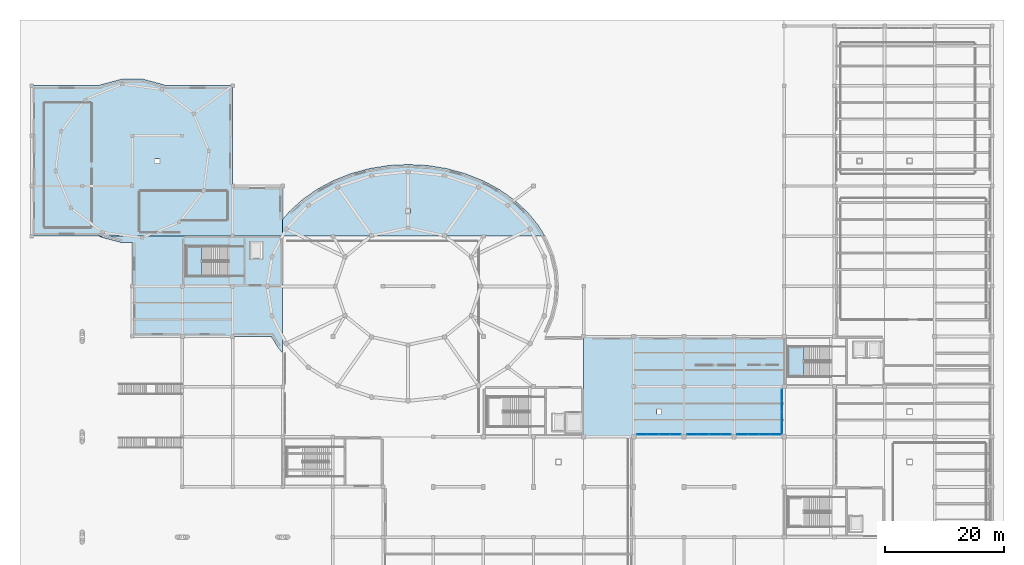
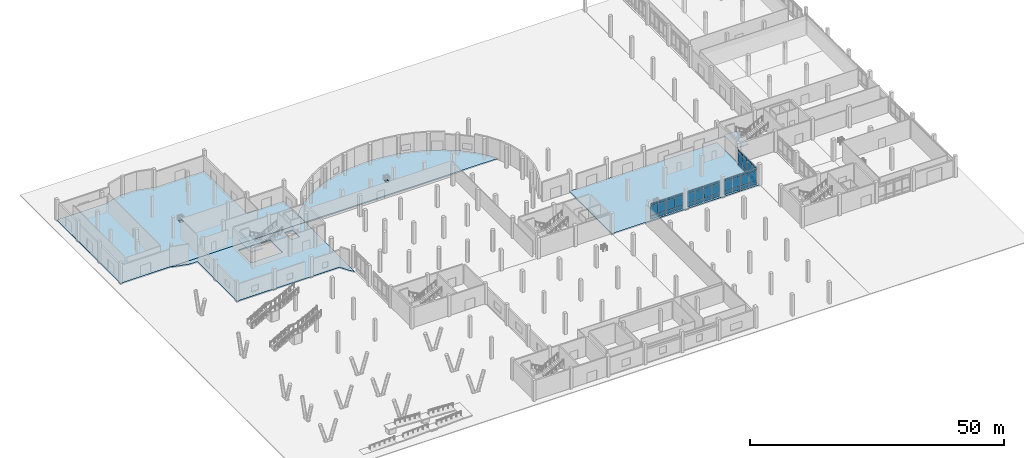
# One storey, part 39 of 64: 48 plates, 6 slabs, 10 elements without a shape of their own.
"""IFC4 building model written with IfcOpenShell, lengths in metres."""

import ifcopenshell
import ifcopenshell.guid

model = None  # the IFC model being written
_history = None  # IfcOwnerHistory: only IFC2X3 demands one
_inside = {}  # id of a spatial element -> (the spatial element, [elements in it])
_under = {}  # id of a project, library or spatial element -> (it, [spatial elements below it])
_declared = {}  # id of a project -> (the project, [libraries it declares])
_typed = {}  # id of a type object -> (the type object, [elements of that type])
_made_of = {}  # id of a material, layer set ... -> (it, [elements and type objects made of it])


def new_model(schema):
    """Start an empty IFC model of exactly this schema.

    Asked for "IFC4X3", IfcOpenShell would pick the latest addendum, in which some entities
    have other attributes; the version numbers below select the first issue.
    IFC2X3 requires an IfcOwnerHistory on every rooted entity: one is made here for all.
    """
    global model, _history
    if schema == "IFC4X3":
        model = ifcopenshell.file(schema_version=(4, 3, 0, 0))
    else:
        model = ifcopenshell.file(schema=schema)
    _inside.clear()
    _under.clear()
    _declared.clear()
    _typed.clear()
    _made_of.clear()
    _history = None
    if model.schema == "IFC2X3":
        org = make("IfcOrganization", Name="unknown")
        user = make(
            "IfcPersonAndOrganization",
            ThePerson=make("IfcPerson", FamilyName="unknown"),
            TheOrganization=org,
        )
        app = make(
            "IfcApplication",
            ApplicationDeveloper=org,
            Version="unknown",
            ApplicationFullName="unknown",
            ApplicationIdentifier="unknown",
        )
        _history = make(
            "IfcOwnerHistory",
            OwningUser=user,
            OwningApplication=app,
            ChangeAction="ADDED",
            CreationDate=0,
        )
    return model


def make(cls, **values):
    """One entity of the class cls with the attributes given. An attribute that is None is left unset."""
    return model.create_entity(
        cls, **{name: value for name, value in values.items() if value is not None}
    )


def rooted(cls, **values):
    """An entity with a GlobalId (a new one), such as an element, a storey or a relation."""
    return make(cls, GlobalId=ifcopenshell.guid.new(), OwnerHistory=_history, **values)


def si_unit(unit_type, name, prefix=None):
    """IfcSIUnit, for example si_unit("LENGTHUNIT", "METRE", prefix="MILLI")."""
    return make("IfcSIUnit", UnitType=unit_type, Prefix=prefix, Name=name)


def derived_unit(unit_type, elements):
    """IfcDerivedUnit: a product of units, each with its exponent."""
    return make(
        "IfcDerivedUnit",
        Elements=[
            make("IfcDerivedUnitElement", Unit=unit, Exponent=power)
            for unit, power in elements
        ],
        UnitType=unit_type,
    )


def assignment(units):
    """IfcUnitAssignment: the units of a project."""
    return None if units is None else make("IfcUnitAssignment", Units=units)


def point(xyz):
    """IfcCartesianPoint."""
    return None if xyz is None else make("IfcCartesianPoint", Coordinates=xyz)


def direction(xyz):
    """IfcDirection."""
    return None if xyz is None else make("IfcDirection", DirectionRatios=xyz)


def frame(location, z_axis=None, x_axis=None):
    """IfcAxis2Placement3D, a coordinate frame: its origin and axes. An axis left out is left unset."""
    return make(
        "IfcAxis2Placement3D",
        Location=point(location),
        Axis=direction(z_axis),
        RefDirection=direction(x_axis),
    )


def frame_2d(location, x_axis=None):
    """IfcAxis2Placement2D, a coordinate frame in the plane: its origin and x axis."""
    return make(
        "IfcAxis2Placement2D", Location=point(location), RefDirection=direction(x_axis)
    )


def origin():
    """The frame at (0, 0, 0) with its axes left unset."""
    return frame((0.0, 0.0, 0.0))


def origin_2d():
    """The frame at (0, 0) in the plane with its x axis left unset."""
    return frame_2d((0.0, 0.0))


def place(relative_to, where):
    """IfcLocalPlacement: puts the frame where relative to a parent placement (None: the world)."""
    return make(
        "IfcLocalPlacement", PlacementRelTo=relative_to, RelativePlacement=where
    )


def context(
    kind, dimensions, precision=None, world=None, true_north=None, identifier=None
):
    """IfcGeometricRepresentationContext, for example the 3D "Model" context."""
    return make(
        "IfcGeometricRepresentationContext",
        ContextIdentifier=identifier,
        ContextType=kind,
        CoordinateSpaceDimension=dimensions,
        Precision=precision,
        WorldCoordinateSystem=world,
        TrueNorth=true_north,
    )


def subcontext(parent, identifier, kind, view, scale=None):
    """IfcGeometricRepresentationSubContext, for example "Body" below "Model"."""
    return make(
        "IfcGeometricRepresentationSubContext",
        ContextIdentifier=identifier,
        ContextType=kind,
        ParentContext=parent,
        TargetScale=scale,
        TargetView=view,
    )


def project(units=None, contexts=None):
    """IfcProject with its units and contexts."""
    return rooted(
        "IfcProject",
        Name="project",
        RepresentationContexts=contexts,
        UnitsInContext=assignment(units),
    )


def spatial(cls, under=None, at=None, **own):
    """A site, building, storey or space (cls), placed at a placement, below another one or the project."""
    s = rooted(cls, ObjectPlacement=at, **own)
    if under is not None:
        _under.setdefault(under.id(), (under, []))[1].append(s)
    return s


def polyline(points):
    """IfcPolyline through the points."""
    return make("IfcPolyline", Points=[point(p) for p in points])


def profile(cls, at=None, kind="AREA", **sizes):
    """A parametric profile (cls). Its sizes go by their IFC names, for example OverallWidth=200.0."""
    return make(cls, ProfileType=kind, Position=at, **sizes)


def rectangle(**sizes):
    """IfcRectangleProfileDef."""
    return profile("IfcRectangleProfileDef", **sizes)


def outline(outer, holes=None, kind="AREA"):
    """IfcArbitraryClosedProfileDef: a profile drawn as a closed curve; with holes, ...WithVoids."""
    if holes is None:
        return make("IfcArbitraryClosedProfileDef", ProfileType=kind, OuterCurve=outer)
    return make(
        "IfcArbitraryProfileDefWithVoids",
        ProfileType=kind,
        OuterCurve=outer,
        InnerCurves=holes,
    )


def extrude(swept, where, along, depth):
    """IfcExtrudedAreaSolid: the profile swept, set in the frame where, extruded along a direction by depth."""
    return make(
        "IfcExtrudedAreaSolid",
        SweptArea=swept,
        Position=where,
        ExtrudedDirection=direction(along),
        Depth=depth,
    )


def shape(context_of_items, identifier, shape_type, items):
    """IfcShapeRepresentation: the items that make up one representation, for example the "Body"."""
    return make(
        "IfcShapeRepresentation",
        ContextOfItems=context_of_items,
        RepresentationIdentifier=identifier,
        RepresentationType=shape_type,
        Items=items,
    )


def material(Name=None, Category=None):
    """IfcMaterial."""
    return make("IfcMaterial", Name=Name, Category=Category)


def layer(
    of_material, thickness, ventilated=None, Name=None, Category=None, Priority=None
):
    """IfcMaterialLayer: one layer of a wall or slab, of a material (None: an air gap)."""
    return make(
        "IfcMaterialLayer",
        Material=of_material,
        LayerThickness=thickness,
        IsVentilated=ventilated,
        Name=Name,
        Category=Category,
        Priority=Priority,
    )


def layer_set(layers, Name=None):
    """IfcMaterialLayerSet."""
    return make("IfcMaterialLayerSet", MaterialLayers=layers, LayerSetName=Name)


def made_of(thing, what):
    """Note that an element or type object is made of a material, layer set ...; save() writes the relation."""
    if what is not None:
        _made_of.setdefault(what.id(), (what, []))[1].append(thing)
    return thing


def type_object(cls, material=None, **own):
    """A type object (cls), such as IfcWallType, which elements share."""
    return made_of(rooted(cls, **own), material)


def element(
    cls,
    number,
    at=None,
    inside=None,
    cuts=None,
    type_object=None,
    material=None,
    context=None,
    identifier="Body",
    shape_type=None,
    held_by="IfcProductDefinitionShape",
    body=None,
    shapes=None,
    **own,
):
    """One element of the class cls, such as IfcWall. Its Tag is "e" and its number.

    at: its placement. inside: the storey or other place that contains it. cuts: it is an
    opening in that element (IfcRelVoidsElement). A single representation is given by context,
    identifier, shape_type and body (its items); several are given by shapes. held_by: the class
    of the entity that holds the representations. save() writes the other relations.
    """
    e = rooted(cls, Tag="e%d" % number, ObjectPlacement=at, **own)
    if body is not None:
        shapes = [shape(context, identifier, shape_type, body)]
    if shapes is not None:
        e.Representation = make(held_by, Representations=shapes)
    if inside is not None:
        _inside.setdefault(inside.id(), (inside, []))[1].append(e)
    if cuts is not None:
        rooted(
            "IfcRelVoidsElement", RelatingBuildingElement=cuts, RelatedOpeningElement=e
        )
    if type_object is not None:
        _typed.setdefault(type_object.id(), (type_object, []))[1].append(e)
    return made_of(e, material)


def aggregate(whole, parts):
    """IfcRelAggregates: a whole, such as a stair, and the parts it consists of."""
    return rooted("IfcRelAggregates", RelatingObject=whole, RelatedObjects=parts)


def save(model, path):
    """Write the relations noted so far, then the file.

    IfcRelAggregates (storeys below a building ...), IfcRelContainedInSpatialStructure (elements
    in a storey), IfcRelDefinesByType, IfcRelAssociatesMaterial and IfcRelDeclares: one each for
    every whole, place, type object, material and project.
    """
    for whole, parts in _under.values():
        aggregate(whole, parts)
    for where, things in _inside.values():
        rooted(
            "IfcRelContainedInSpatialStructure",
            RelatedElements=things,
            RelatingStructure=where,
        )
    for kind, things in _typed.values():
        rooted("IfcRelDefinesByType", RelatedObjects=things, RelatingType=kind)
    for what, things in _made_of.values():
        rooted("IfcRelAssociatesMaterial", RelatedObjects=things, RelatingMaterial=what)
    for by, libraries in _declared.values():
        rooted("IfcRelDeclares", RelatingContext=by, RelatedDefinitions=libraries)
    model.write(path)


model = new_model("IFC4")

# Units and contexts
model_context = context("Model", 3, precision=1e-05, world=origin(), true_north=direction((0.0, 1.0)))
body_context = subcontext(model_context, "Body", "Model", "MODEL_VIEW")
ifc_project = project(units=[si_unit("LENGTHUNIT", "METRE"), si_unit("AREAUNIT", "SQUARE_METRE"), si_unit("VOLUMEUNIT", "CUBIC_METRE"), si_unit("PLANEANGLEUNIT", "RADIAN"), si_unit("MASSUNIT", "GRAM", prefix="KILO"), derived_unit("THERMALTRANSMITTANCEUNIT", [(si_unit("POWERUNIT", "WATT"), 1), (si_unit("LENGTHUNIT", "METRE"), -2), (si_unit("THERMODYNAMICTEMPERATUREUNIT", "KELVIN"), -1)])], contexts=[model_context])

# Site, building, storey
site_placement = place(None, origin())
site = spatial("IfcSite", under=ifc_project, at=site_placement, CompositionType="ELEMENT")
building_placement = place(site_placement, origin())
building = spatial("IfcBuilding", under=site, at=building_placement, Name="Elbkamm Science Centre", CompositionType="ELEMENT")
storey_placement = place(building_placement, origin())
storey = spatial("IfcBuildingStorey", under=building, at=storey_placement, Name="L00", CompositionType="ELEMENT", Elevation=0.0)

# Curtain wall, plates
ifc_material_1 = material(Name="Powder-coated aluminium and triple low-E glazing", Category="aluminium")
ifc_layer_1 = layer(ifc_material_1, 0.159912109375)
ifc_layer_set_1 = layer_set([ifc_layer_1], Name="Powder-coated aluminium and triple low-E glazing")
curtain_wall_type_1 = type_object("IfcCurtainWallType", Name="CW-UNIT-3680x3960", PredefinedType="USERDEFINED", material=ifc_layer_set_1)
curtain_wall_1_placement = place(storey_placement, origin())
curtain_wall_1 = element("IfcCurtainWall", 1, at=curtain_wall_1_placement, inside=storey, type_object=curtain_wall_type_1, Name="L00 Unitised Curtain Wall 136", ObjectType="UNITISED CURTAIN WALL", PredefinedType="USERDEFINED")
ifc_material_2 = material(Name="Triple solar-control insulated safety glass", Category="glass")
ifc_layer_2 = layer(ifc_material_2, 0.048095703125)
ifc_layer_set_2 = layer_set([ifc_layer_2], Name="Triple solar-control insulated safety glass")
plate_type = type_object("IfcPlateType", Name="CW-PNL-48", PredefinedType="CURTAIN_PANEL", material=ifc_layer_set_2)
plate_1_placement = place(storey_placement, frame((125.6201171875, 48.977783203125, 0.06982421875), z_axis=(0.0, 0.0, 1.0), x_axis=(0.0, -1.0, 0.0)))
plate_1 = element("IfcPlate", 2, at=plate_1_placement, type_object=plate_type, Name="CW-064 panel 1.1", PredefinedType="CURTAIN_PANEL", context=body_context, shape_type="SweptSolid", body=[
    extrude(rectangle(XDim=1.73193359375, YDim=0.048095703125, at=origin_2d()), origin(), (0.0, 0.0, 1.0), 0.7451171875),
])
plate_2_placement = place(storey_placement, frame((125.6201171875, 48.977783203125, 0.885009765625), z_axis=(0.0, 0.0, 1.0), x_axis=(0.0, -1.0, 0.0)))
plate_2 = element("IfcPlate", 3, at=plate_2_placement, type_object=plate_type, Name="CW-064 panel 1.2", PredefinedType="CURTAIN_PANEL", context=body_context, shape_type="SweptSolid", body=[
    extrude(rectangle(XDim=1.73193359375, YDim=0.048095703125, at=origin_2d()), origin(), (0.0, 0.0, 1.0), 2.3798828125),
])
plate_3_placement = place(storey_placement, frame((125.6201171875, 48.977783203125, 3.3349609375), z_axis=(0.0, 0.0, 1.0), x_axis=(0.0, -1.0, 0.0)))
plate_3 = element("IfcPlate", 4, at=plate_3_placement, type_object=plate_type, Name="CW-064 panel 1.3", PredefinedType="CURTAIN_PANEL", context=body_context, shape_type="SweptSolid", body=[
    extrude(rectangle(XDim=1.73193359375, YDim=0.048095703125, at=origin_2d()), origin(), (0.0, 0.0, 1.0), 0.544921875),
])
plate_4_placement = place(storey_placement, frame((125.6201171875, 47.176025390625, 0.06982421875), z_axis=(0.0, 0.0, 1.0), x_axis=(0.0, -1.0, 0.0)))
plate_4 = element("IfcPlate", 5, at=plate_4_placement, type_object=plate_type, Name="CW-064 panel 2.1", PredefinedType="CURTAIN_PANEL", context=body_context, shape_type="SweptSolid", body=[
    extrude(rectangle(XDim=1.73193359375, YDim=0.048095703125, at=origin_2d()), origin(), (0.0, 0.0, 1.0), 0.7451171875),
])
plate_5_placement = place(storey_placement, frame((125.6201171875, 47.176025390625, 0.885009765625), z_axis=(0.0, 0.0, 1.0), x_axis=(0.0, -1.0, 0.0)))
plate_5 = element("IfcPlate", 6, at=plate_5_placement, type_object=plate_type, Name="CW-064 panel 2.2", PredefinedType="CURTAIN_PANEL", context=body_context, shape_type="SweptSolid", body=[
    extrude(rectangle(XDim=1.73193359375, YDim=0.048095703125, at=origin_2d()), origin(), (0.0, 0.0, 1.0), 2.3798828125),
])
plate_6_placement = place(storey_placement, frame((125.6201171875, 47.176025390625, 3.3349609375), z_axis=(0.0, 0.0, 1.0), x_axis=(0.0, -1.0, 0.0)))
plate_6 = element("IfcPlate", 7, at=plate_6_placement, type_object=plate_type, Name="CW-064 panel 2.3", PredefinedType="CURTAIN_PANEL", context=body_context, shape_type="SweptSolid", body=[
    extrude(rectangle(XDim=1.73193359375, YDim=0.048095703125, at=origin_2d()), origin(), (0.0, 0.0, 1.0), 0.544921875),
])
aggregate(curtain_wall_1, [plate_1, plate_2, plate_3, plate_4, plate_5, plate_6])

curtain_wall_2_placement = place(storey_placement, origin())
curtain_wall_2 = element("IfcCurtainWall", 8, at=curtain_wall_2_placement, inside=storey, type_object=curtain_wall_type_1, Name="L00 Unitised Curtain Wall 137", ObjectType="UNITISED CURTAIN WALL", PredefinedType="USERDEFINED")
plate_7_placement = place(storey_placement, frame((125.6201171875, 45.22412109375, 0.06982421875), z_axis=(0.0, 0.0, 1.0), x_axis=(0.0, -1.0, 0.0)))
plate_7 = element("IfcPlate", 9, at=plate_7_placement, type_object=plate_type, Name="CW-064 panel 1.1", PredefinedType="CURTAIN_PANEL", context=body_context, shape_type="SweptSolid", body=[
    extrude(rectangle(XDim=1.73193359375, YDim=0.048095703125, at=origin_2d()), origin(), (0.0, 0.0, 1.0), 0.7451171875),
])
plate_8_placement = place(storey_placement, frame((125.6201171875, 45.22412109375, 0.885009765625), z_axis=(0.0, 0.0, 1.0), x_axis=(0.0, -1.0, 0.0)))
plate_8 = element("IfcPlate", 10, at=plate_8_placement, type_object=plate_type, Name="CW-064 panel 1.2", PredefinedType="CURTAIN_PANEL", context=body_context, shape_type="SweptSolid", body=[
    extrude(rectangle(XDim=1.73193359375, YDim=0.048095703125, at=origin_2d()), origin(), (0.0, 0.0, 1.0), 2.3798828125),
])
plate_9_placement = place(storey_placement, frame((125.6201171875, 45.22412109375, 3.3349609375), z_axis=(0.0, 0.0, 1.0), x_axis=(0.0, -1.0, 0.0)))
plate_9 = element("IfcPlate", 11, at=plate_9_placement, type_object=plate_type, Name="CW-064 panel 1.3", PredefinedType="CURTAIN_PANEL", context=body_context, shape_type="SweptSolid", body=[
    extrude(rectangle(XDim=1.73193359375, YDim=0.048095703125, at=origin_2d()), origin(), (0.0, 0.0, 1.0), 0.544921875),
])
plate_10_placement = place(storey_placement, frame((125.6201171875, 43.422119140625, 0.06982421875), z_axis=(0.0, 0.0, 1.0), x_axis=(0.0, -1.0, 0.0)))
plate_10 = element("IfcPlate", 12, at=plate_10_placement, type_object=plate_type, Name="CW-064 panel 2.1", PredefinedType="CURTAIN_PANEL", context=body_context, shape_type="SweptSolid", body=[
    extrude(rectangle(XDim=1.73193359375, YDim=0.048095703125, at=origin_2d()), origin(), (0.0, 0.0, 1.0), 0.7451171875),
])
plate_11_placement = place(storey_placement, frame((125.6201171875, 43.422119140625, 0.885009765625), z_axis=(0.0, 0.0, 1.0), x_axis=(0.0, -1.0, 0.0)))
plate_11 = element("IfcPlate", 13, at=plate_11_placement, type_object=plate_type, Name="CW-064 panel 2.2", PredefinedType="CURTAIN_PANEL", context=body_context, shape_type="SweptSolid", body=[
    extrude(rectangle(XDim=1.73193359375, YDim=0.048095703125, at=origin_2d()), origin(), (0.0, 0.0, 1.0), 2.3798828125),
])
plate_12_placement = place(storey_placement, frame((125.6201171875, 43.422119140625, 3.3349609375), z_axis=(0.0, 0.0, 1.0), x_axis=(0.0, -1.0, 0.0)))
plate_12 = element("IfcPlate", 14, at=plate_12_placement, type_object=plate_type, Name="CW-064 panel 2.3", PredefinedType="CURTAIN_PANEL", context=body_context, shape_type="SweptSolid", body=[
    extrude(rectangle(XDim=1.73193359375, YDim=0.048095703125, at=origin_2d()), origin(), (0.0, 0.0, 1.0), 0.544921875),
])
aggregate(curtain_wall_2, [plate_7, plate_8, plate_9, plate_10, plate_11, plate_12])

ifc_layer_3 = layer(ifc_material_1, 0.159912109375)
ifc_layer_set_3 = layer_set([ifc_layer_3], Name="Powder-coated aluminium and triple low-E glazing")
curtain_wall_type_2 = type_object("IfcCurtainWallType", Name="CW-UNIT-3680x3900", PredefinedType="USERDEFINED", material=ifc_layer_set_3)
curtain_wall_3_placement = place(storey_placement, origin())
curtain_wall_3 = element("IfcCurtainWall", 15, at=curtain_wall_3_placement, inside=storey, type_object=curtain_wall_type_2, Name="L00 Unitised Curtain Wall 138", ObjectType="UNITISED CURTAIN WALL", PredefinedType="USERDEFINED")
plate_13_placement = place(storey_placement, frame((124.577880859375, 42.3798828125, 0.06982421875), z_axis=(0.0, 0.0, 1.0), x_axis=(-1.0, 0.0, 0.0)))
plate_13 = element("IfcPlate", 16, at=plate_13_placement, type_object=plate_type, Name="CW-066 panel 1.1", PredefinedType="CURTAIN_PANEL", context=body_context, shape_type="SweptSolid", body=[
    extrude(rectangle(XDim=1.73193359375, YDim=0.048095703125, at=origin_2d()), origin(), (0.0, 0.0, 1.0), 0.7451171875),
])
plate_14_placement = place(storey_placement, frame((124.577880859375, 42.3798828125, 0.885009765625), z_axis=(0.0, 0.0, 1.0), x_axis=(-1.0, 0.0, 0.0)))
plate_14 = element("IfcPlate", 17, at=plate_14_placement, type_object=plate_type, Name="CW-066 panel 1.2", PredefinedType="CURTAIN_PANEL", context=body_context, shape_type="SweptSolid", body=[
    extrude(rectangle(XDim=1.73193359375, YDim=0.048095703125, at=origin_2d()), origin(), (0.0, 0.0, 1.0), 2.330078125),
])
plate_15_placement = place(storey_placement, frame((124.577880859375, 42.3798828125, 3.28515625), z_axis=(0.0, 0.0, 1.0), x_axis=(-1.0, 0.0, 0.0)))
plate_15 = element("IfcPlate", 18, at=plate_15_placement, type_object=plate_type, Name="CW-066 panel 1.3", PredefinedType="CURTAIN_PANEL", context=body_context, shape_type="SweptSolid", body=[
    extrude(rectangle(XDim=1.73193359375, YDim=0.048095703125, at=origin_2d()), origin(), (0.0, 0.0, 1.0), 0.544921875),
])
plate_16_placement = place(storey_placement, frame((122.77587890625, 42.3798828125, 0.06982421875), z_axis=(0.0, 0.0, 1.0), x_axis=(-1.0, 0.0, 0.0)))
plate_16 = element("IfcPlate", 19, at=plate_16_placement, type_object=plate_type, Name="CW-066 panel 2.1", PredefinedType="CURTAIN_PANEL", context=body_context, shape_type="SweptSolid", body=[
    extrude(rectangle(XDim=1.73193359375, YDim=0.048095703125, at=origin_2d()), origin(), (0.0, 0.0, 1.0), 0.7451171875),
])
plate_17_placement = place(storey_placement, frame((122.77587890625, 42.3798828125, 0.885009765625), z_axis=(0.0, 0.0, 1.0), x_axis=(-1.0, 0.0, 0.0)))
plate_17 = element("IfcPlate", 20, at=plate_17_placement, type_object=plate_type, Name="CW-066 panel 2.2", PredefinedType="CURTAIN_PANEL", context=body_context, shape_type="SweptSolid", body=[
    extrude(rectangle(XDim=1.73193359375, YDim=0.048095703125, at=origin_2d()), origin(), (0.0, 0.0, 1.0), 2.330078125),
])
plate_18_placement = place(storey_placement, frame((122.77587890625, 42.3798828125, 3.28515625), z_axis=(0.0, 0.0, 1.0), x_axis=(-1.0, 0.0, 0.0)))
plate_18 = element("IfcPlate", 21, at=plate_18_placement, type_object=plate_type, Name="CW-066 panel 2.3", PredefinedType="CURTAIN_PANEL", context=body_context, shape_type="SweptSolid", body=[
    extrude(rectangle(XDim=1.73193359375, YDim=0.048095703125, at=origin_2d()), origin(), (0.0, 0.0, 1.0), 0.544921875),
])
aggregate(curtain_wall_3, [plate_13, plate_14, plate_15, plate_16, plate_17, plate_18])

curtain_wall_4_placement = place(storey_placement, origin())
curtain_wall_4 = element("IfcCurtainWall", 22, at=curtain_wall_4_placement, inside=storey, type_object=curtain_wall_type_2, Name="L00 Unitised Curtain Wall 139", ObjectType="UNITISED CURTAIN WALL", PredefinedType="USERDEFINED")
plate_19_placement = place(storey_placement, frame((120.823974609375, 42.3798828125, 0.06982421875), z_axis=(0.0, 0.0, 1.0), x_axis=(-1.0, 0.0, 0.0)))
plate_19 = element("IfcPlate", 23, at=plate_19_placement, type_object=plate_type, Name="CW-066 panel 1.1", PredefinedType="CURTAIN_PANEL", context=body_context, shape_type="SweptSolid", body=[
    extrude(rectangle(XDim=1.73193359375, YDim=0.048095703125, at=origin_2d()), origin(), (0.0, 0.0, 1.0), 0.7451171875),
])
plate_20_placement = place(storey_placement, frame((120.823974609375, 42.3798828125, 0.885009765625), z_axis=(0.0, 0.0, 1.0), x_axis=(-1.0, 0.0, 0.0)))
plate_20 = element("IfcPlate", 24, at=plate_20_placement, type_object=plate_type, Name="CW-066 panel 1.2", PredefinedType="CURTAIN_PANEL", context=body_context, shape_type="SweptSolid", body=[
    extrude(rectangle(XDim=1.73193359375, YDim=0.048095703125, at=origin_2d()), origin(), (0.0, 0.0, 1.0), 2.330078125),
])
plate_21_placement = place(storey_placement, frame((120.823974609375, 42.3798828125, 3.28515625), z_axis=(0.0, 0.0, 1.0), x_axis=(-1.0, 0.0, 0.0)))
plate_21 = element("IfcPlate", 25, at=plate_21_placement, type_object=plate_type, Name="CW-066 panel 1.3", PredefinedType="CURTAIN_PANEL", context=body_context, shape_type="SweptSolid", body=[
    extrude(rectangle(XDim=1.73193359375, YDim=0.048095703125, at=origin_2d()), origin(), (0.0, 0.0, 1.0), 0.544921875),
])
plate_22_placement = place(storey_placement, frame((119.022216796875, 42.3798828125, 0.06982421875), z_axis=(0.0, 0.0, 1.0), x_axis=(-1.0, 0.0, 0.0)))
plate_22 = element("IfcPlate", 26, at=plate_22_placement, type_object=plate_type, Name="CW-066 panel 2.1", PredefinedType="CURTAIN_PANEL", context=body_context, shape_type="SweptSolid", body=[
    extrude(rectangle(XDim=1.73193359375, YDim=0.048095703125, at=origin_2d()), origin(), (0.0, 0.0, 1.0), 0.7451171875),
])
plate_23_placement = place(storey_placement, frame((119.022216796875, 42.3798828125, 0.885009765625), z_axis=(0.0, 0.0, 1.0), x_axis=(-1.0, 0.0, 0.0)))
plate_23 = element("IfcPlate", 27, at=plate_23_placement, type_object=plate_type, Name="CW-066 panel 2.2", PredefinedType="CURTAIN_PANEL", context=body_context, shape_type="SweptSolid", body=[
    extrude(rectangle(XDim=1.73193359375, YDim=0.048095703125, at=origin_2d()), origin(), (0.0, 0.0, 1.0), 2.330078125),
])
plate_24_placement = place(storey_placement, frame((119.022216796875, 42.3798828125, 3.28515625), z_axis=(0.0, 0.0, 1.0), x_axis=(-1.0, 0.0, 0.0)))
plate_24 = element("IfcPlate", 28, at=plate_24_placement, type_object=plate_type, Name="CW-066 panel 2.3", PredefinedType="CURTAIN_PANEL", context=body_context, shape_type="SweptSolid", body=[
    extrude(rectangle(XDim=1.73193359375, YDim=0.048095703125, at=origin_2d()), origin(), (0.0, 0.0, 1.0), 0.544921875),
])
aggregate(curtain_wall_4, [plate_19, plate_20, plate_21, plate_22, plate_23, plate_24])

curtain_wall_5_placement = place(storey_placement, origin())
curtain_wall_5 = element("IfcCurtainWall", 29, at=curtain_wall_5_placement, inside=storey, type_object=curtain_wall_type_2, Name="L00 Unitised Curtain Wall 140", ObjectType="UNITISED CURTAIN WALL", PredefinedType="USERDEFINED")
plate_25_placement = place(storey_placement, frame((116.177734375, 42.3798828125, 0.06982421875), z_axis=(0.0, 0.0, 1.0), x_axis=(-1.0, 0.0, 0.0)))
plate_25 = element("IfcPlate", 30, at=plate_25_placement, type_object=plate_type, Name="CW-066 panel 1.1", PredefinedType="CURTAIN_PANEL", context=body_context, shape_type="SweptSolid", body=[
    extrude(rectangle(XDim=1.73193359375, YDim=0.048095703125, at=origin_2d()), origin(), (0.0, 0.0, 1.0), 0.7451171875),
])
plate_26_placement = place(storey_placement, frame((116.177734375, 42.3798828125, 0.885009765625), z_axis=(0.0, 0.0, 1.0), x_axis=(-1.0, 0.0, 0.0)))
plate_26 = element("IfcPlate", 31, at=plate_26_placement, type_object=plate_type, Name="CW-066 panel 1.2", PredefinedType="CURTAIN_PANEL", context=body_context, shape_type="SweptSolid", body=[
    extrude(rectangle(XDim=1.73193359375, YDim=0.048095703125, at=origin_2d()), origin(), (0.0, 0.0, 1.0), 2.330078125),
])
plate_27_placement = place(storey_placement, frame((116.177734375, 42.3798828125, 3.28515625), z_axis=(0.0, 0.0, 1.0), x_axis=(-1.0, 0.0, 0.0)))
plate_27 = element("IfcPlate", 32, at=plate_27_placement, type_object=plate_type, Name="CW-066 panel 1.3", PredefinedType="CURTAIN_PANEL", context=body_context, shape_type="SweptSolid", body=[
    extrude(rectangle(XDim=1.73193359375, YDim=0.048095703125, at=origin_2d()), origin(), (0.0, 0.0, 1.0), 0.544921875),
])
plate_28_placement = place(storey_placement, frame((114.3759765625, 42.3798828125, 0.06982421875), z_axis=(0.0, 0.0, 1.0), x_axis=(-1.0, 0.0, 0.0)))
plate_28 = element("IfcPlate", 33, at=plate_28_placement, type_object=plate_type, Name="CW-066 panel 2.1", PredefinedType="CURTAIN_PANEL", context=body_context, shape_type="SweptSolid", body=[
    extrude(rectangle(XDim=1.73193359375, YDim=0.048095703125, at=origin_2d()), origin(), (0.0, 0.0, 1.0), 0.7451171875),
])
plate_29_placement = place(storey_placement, frame((114.3759765625, 42.3798828125, 0.885009765625), z_axis=(0.0, 0.0, 1.0), x_axis=(-1.0, 0.0, 0.0)))
plate_29 = element("IfcPlate", 34, at=plate_29_placement, type_object=plate_type, Name="CW-066 panel 2.2", PredefinedType="CURTAIN_PANEL", context=body_context, shape_type="SweptSolid", body=[
    extrude(rectangle(XDim=1.73193359375, YDim=0.048095703125, at=origin_2d()), origin(), (0.0, 0.0, 1.0), 2.330078125),
])
plate_30_placement = place(storey_placement, frame((114.3759765625, 42.3798828125, 3.28515625), z_axis=(0.0, 0.0, 1.0), x_axis=(-1.0, 0.0, 0.0)))
plate_30 = element("IfcPlate", 35, at=plate_30_placement, type_object=plate_type, Name="CW-066 panel 2.3", PredefinedType="CURTAIN_PANEL", context=body_context, shape_type="SweptSolid", body=[
    extrude(rectangle(XDim=1.73193359375, YDim=0.048095703125, at=origin_2d()), origin(), (0.0, 0.0, 1.0), 0.544921875),
])
aggregate(curtain_wall_5, [plate_25, plate_26, plate_27, plate_28, plate_29, plate_30])

curtain_wall_6_placement = place(storey_placement, origin())
curtain_wall_6 = element("IfcCurtainWall", 36, at=curtain_wall_6_placement, inside=storey, type_object=curtain_wall_type_2, Name="L00 Unitised Curtain Wall 141", ObjectType="UNITISED CURTAIN WALL", PredefinedType="USERDEFINED")
plate_31_placement = place(storey_placement, frame((112.424072265625, 42.3798828125, 0.06982421875), z_axis=(0.0, 0.0, 1.0), x_axis=(-1.0, 0.0, 0.0)))
plate_31 = element("IfcPlate", 37, at=plate_31_placement, type_object=plate_type, Name="CW-066 panel 1.1", PredefinedType="CURTAIN_PANEL", context=body_context, shape_type="SweptSolid", body=[
    extrude(rectangle(XDim=1.73193359375, YDim=0.048095703125, at=origin_2d()), origin(), (0.0, 0.0, 1.0), 0.7451171875),
])
plate_32_placement = place(storey_placement, frame((112.424072265625, 42.3798828125, 0.885009765625), z_axis=(0.0, 0.0, 1.0), x_axis=(-1.0, 0.0, 0.0)))
plate_32 = element("IfcPlate", 38, at=plate_32_placement, type_object=plate_type, Name="CW-066 panel 1.2", PredefinedType="CURTAIN_PANEL", context=body_context, shape_type="SweptSolid", body=[
    extrude(rectangle(XDim=1.73193359375, YDim=0.048095703125, at=origin_2d()), origin(), (0.0, 0.0, 1.0), 2.330078125),
])
plate_33_placement = place(storey_placement, frame((112.424072265625, 42.3798828125, 3.28515625), z_axis=(0.0, 0.0, 1.0), x_axis=(-1.0, 0.0, 0.0)))
plate_33 = element("IfcPlate", 39, at=plate_33_placement, type_object=plate_type, Name="CW-066 panel 1.3", PredefinedType="CURTAIN_PANEL", context=body_context, shape_type="SweptSolid", body=[
    extrude(rectangle(XDim=1.73193359375, YDim=0.048095703125, at=origin_2d()), origin(), (0.0, 0.0, 1.0), 0.544921875),
])
plate_34_placement = place(storey_placement, frame((110.622314453125, 42.3798828125, 0.06982421875), z_axis=(0.0, 0.0, 1.0), x_axis=(-1.0, 0.0, 0.0)))
plate_34 = element("IfcPlate", 40, at=plate_34_placement, type_object=plate_type, Name="CW-066 panel 2.1", PredefinedType="CURTAIN_PANEL", context=body_context, shape_type="SweptSolid", body=[
    extrude(rectangle(XDim=1.73193359375, YDim=0.048095703125, at=origin_2d()), origin(), (0.0, 0.0, 1.0), 0.7451171875),
])
plate_35_placement = place(storey_placement, frame((110.622314453125, 42.3798828125, 0.885009765625), z_axis=(0.0, 0.0, 1.0), x_axis=(-1.0, 0.0, 0.0)))
plate_35 = element("IfcPlate", 41, at=plate_35_placement, type_object=plate_type, Name="CW-066 panel 2.2", PredefinedType="CURTAIN_PANEL", context=body_context, shape_type="SweptSolid", body=[
    extrude(rectangle(XDim=1.73193359375, YDim=0.048095703125, at=origin_2d()), origin(), (0.0, 0.0, 1.0), 2.330078125),
])
plate_36_placement = place(storey_placement, frame((110.622314453125, 42.3798828125, 3.28515625), z_axis=(0.0, 0.0, 1.0), x_axis=(-1.0, 0.0, 0.0)))
plate_36 = element("IfcPlate", 42, at=plate_36_placement, type_object=plate_type, Name="CW-066 panel 2.3", PredefinedType="CURTAIN_PANEL", context=body_context, shape_type="SweptSolid", body=[
    extrude(rectangle(XDim=1.73193359375, YDim=0.048095703125, at=origin_2d()), origin(), (0.0, 0.0, 1.0), 0.544921875),
])
aggregate(curtain_wall_6, [plate_31, plate_32, plate_33, plate_34, plate_35, plate_36])

curtain_wall_7_placement = place(storey_placement, origin())
curtain_wall_7 = element("IfcCurtainWall", 43, at=curtain_wall_7_placement, inside=storey, type_object=curtain_wall_type_2, Name="L00 Unitised Curtain Wall 142", ObjectType="UNITISED CURTAIN WALL", PredefinedType="USERDEFINED")
plate_37_placement = place(storey_placement, frame((107.77783203125, 42.3798828125, 0.06982421875), z_axis=(0.0, 0.0, 1.0), x_axis=(-1.0, 0.0, 0.0)))
plate_37 = element("IfcPlate", 44, at=plate_37_placement, type_object=plate_type, Name="CW-066 panel 1.1", PredefinedType="CURTAIN_PANEL", context=body_context, shape_type="SweptSolid", body=[
    extrude(rectangle(XDim=1.73193359375, YDim=0.048095703125, at=origin_2d()), origin(), (0.0, 0.0, 1.0), 0.7451171875),
])
plate_38_placement = place(storey_placement, frame((107.77783203125, 42.3798828125, 0.885009765625), z_axis=(0.0, 0.0, 1.0), x_axis=(-1.0, 0.0, 0.0)))
plate_38 = element("IfcPlate", 45, at=plate_38_placement, type_object=plate_type, Name="CW-066 panel 1.2", PredefinedType="CURTAIN_PANEL", context=body_context, shape_type="SweptSolid", body=[
    extrude(rectangle(XDim=1.73193359375, YDim=0.048095703125, at=origin_2d()), origin(), (0.0, 0.0, 1.0), 2.330078125),
])
plate_39_placement = place(storey_placement, frame((107.77783203125, 42.3798828125, 3.28515625), z_axis=(0.0, 0.0, 1.0), x_axis=(-1.0, 0.0, 0.0)))
plate_39 = element("IfcPlate", 46, at=plate_39_placement, type_object=plate_type, Name="CW-066 panel 1.3", PredefinedType="CURTAIN_PANEL", context=body_context, shape_type="SweptSolid", body=[
    extrude(rectangle(XDim=1.73193359375, YDim=0.048095703125, at=origin_2d()), origin(), (0.0, 0.0, 1.0), 0.544921875),
])
plate_40_placement = place(storey_placement, frame((105.975830078125, 42.3798828125, 0.06982421875), z_axis=(0.0, 0.0, 1.0), x_axis=(-1.0, 0.0, 0.0)))
plate_40 = element("IfcPlate", 47, at=plate_40_placement, type_object=plate_type, Name="CW-066 panel 2.1", PredefinedType="CURTAIN_PANEL", context=body_context, shape_type="SweptSolid", body=[
    extrude(rectangle(XDim=1.73193359375, YDim=0.048095703125, at=origin_2d()), origin(), (0.0, 0.0, 1.0), 0.7451171875),
])
plate_41_placement = place(storey_placement, frame((105.975830078125, 42.3798828125, 0.885009765625), z_axis=(0.0, 0.0, 1.0), x_axis=(-1.0, 0.0, 0.0)))
plate_41 = element("IfcPlate", 48, at=plate_41_placement, type_object=plate_type, Name="CW-066 panel 2.2", PredefinedType="CURTAIN_PANEL", context=body_context, shape_type="SweptSolid", body=[
    extrude(rectangle(XDim=1.73193359375, YDim=0.048095703125, at=origin_2d()), origin(), (0.0, 0.0, 1.0), 2.330078125),
])
plate_42_placement = place(storey_placement, frame((105.975830078125, 42.3798828125, 3.28515625), z_axis=(0.0, 0.0, 1.0), x_axis=(-1.0, 0.0, 0.0)))
plate_42 = element("IfcPlate", 49, at=plate_42_placement, type_object=plate_type, Name="CW-066 panel 2.3", PredefinedType="CURTAIN_PANEL", context=body_context, shape_type="SweptSolid", body=[
    extrude(rectangle(XDim=1.73193359375, YDim=0.048095703125, at=origin_2d()), origin(), (0.0, 0.0, 1.0), 0.544921875),
])
aggregate(curtain_wall_7, [plate_37, plate_38, plate_39, plate_40, plate_41, plate_42])

curtain_wall_8_placement = place(storey_placement, origin())
curtain_wall_8 = element("IfcCurtainWall", 50, at=curtain_wall_8_placement, inside=storey, type_object=curtain_wall_type_2, Name="L00 Unitised Curtain Wall 143", ObjectType="UNITISED CURTAIN WALL", PredefinedType="USERDEFINED")
plate_43_placement = place(storey_placement, frame((104.024169921875, 42.3798828125, 0.06982421875), z_axis=(0.0, 0.0, 1.0), x_axis=(-1.0, 0.0, 0.0)))
plate_43 = element("IfcPlate", 51, at=plate_43_placement, type_object=plate_type, Name="CW-066 panel 1.1", PredefinedType="CURTAIN_PANEL", context=body_context, shape_type="SweptSolid", body=[
    extrude(rectangle(XDim=1.73193359375, YDim=0.048095703125, at=origin_2d()), origin(), (0.0, 0.0, 1.0), 0.7451171875),
])
plate_44_placement = place(storey_placement, frame((104.024169921875, 42.3798828125, 0.885009765625), z_axis=(0.0, 0.0, 1.0), x_axis=(-1.0, 0.0, 0.0)))
plate_44 = element("IfcPlate", 52, at=plate_44_placement, type_object=plate_type, Name="CW-066 panel 1.2", PredefinedType="CURTAIN_PANEL", context=body_context, shape_type="SweptSolid", body=[
    extrude(rectangle(XDim=1.73193359375, YDim=0.048095703125, at=origin_2d()), origin(), (0.0, 0.0, 1.0), 2.330078125),
])
plate_45_placement = place(storey_placement, frame((104.024169921875, 42.3798828125, 3.28515625), z_axis=(0.0, 0.0, 1.0), x_axis=(-1.0, 0.0, 0.0)))
plate_45 = element("IfcPlate", 53, at=plate_45_placement, type_object=plate_type, Name="CW-066 panel 1.3", PredefinedType="CURTAIN_PANEL", context=body_context, shape_type="SweptSolid", body=[
    extrude(rectangle(XDim=1.73193359375, YDim=0.048095703125, at=origin_2d()), origin(), (0.0, 0.0, 1.0), 0.544921875),
])
plate_46_placement = place(storey_placement, frame((102.22216796875, 42.3798828125, 0.06982421875), z_axis=(0.0, 0.0, 1.0), x_axis=(-1.0, 0.0, 0.0)))
plate_46 = element("IfcPlate", 54, at=plate_46_placement, type_object=plate_type, Name="CW-066 panel 2.1", PredefinedType="CURTAIN_PANEL", context=body_context, shape_type="SweptSolid", body=[
    extrude(rectangle(XDim=1.73193359375, YDim=0.048095703125, at=origin_2d()), origin(), (0.0, 0.0, 1.0), 0.7451171875),
])
plate_47_placement = place(storey_placement, frame((102.22216796875, 42.3798828125, 0.885009765625), z_axis=(0.0, 0.0, 1.0), x_axis=(-1.0, 0.0, 0.0)))
plate_47 = element("IfcPlate", 55, at=plate_47_placement, type_object=plate_type, Name="CW-066 panel 2.2", PredefinedType="CURTAIN_PANEL", context=body_context, shape_type="SweptSolid", body=[
    extrude(rectangle(XDim=1.73193359375, YDim=0.048095703125, at=origin_2d()), origin(), (0.0, 0.0, 1.0), 2.330078125),
])
plate_48_placement = place(storey_placement, frame((102.22216796875, 42.3798828125, 3.28515625), z_axis=(0.0, 0.0, 1.0), x_axis=(-1.0, 0.0, 0.0)))
plate_48 = element("IfcPlate", 56, at=plate_48_placement, type_object=plate_type, Name="CW-066 panel 2.3", PredefinedType="CURTAIN_PANEL", context=body_context, shape_type="SweptSolid", body=[
    extrude(rectangle(XDim=1.73193359375, YDim=0.048095703125, at=origin_2d()), origin(), (0.0, 0.0, 1.0), 0.544921875),
])
aggregate(curtain_wall_8, [plate_43, plate_44, plate_45, plate_46, plate_47, plate_48])

# Slabs
ifc_material_3 = material(Name="Reinforced concrete C40/50", Category="concrete")
ifc_layer_4 = layer(ifc_material_3, 0.300048828125)
ifc_layer_set_4 = layer_set([ifc_layer_4], Name="Reinforced concrete C40/50")
slab_type_1 = type_object("IfcSlabType", Name="SLAB-FLR-300", PredefinedType="FLOOR", material=ifc_layer_set_4)
slab_1_placement = place(storey_placement, frame((0.0, 0.0, -0.300048828125)))
element("IfcSlab", 57, at=slab_1_placement, inside=storey, type_object=slab_type_1, Name="L00 Structural Slab WM-01", PredefinedType="FLOOR", context=body_context, shape_type="SweptSolid", body=[
    extrude(outline(polyline([(41.17626953125, 57.0), (40.07958984375, 58.800048828125), (16.800048828125, 58.800048828125), (16.800048828125, 74.51806640625), (14.998779296875, 74.51806640625), (11.51904296875, 75.450439453125), (11.260009765625, 75.60009765625), (42.0, 75.60009765625), (42.0, 56.001953125), (41.17626953125, 57.0)]), holes=[polyline([(25.800048828125, 68.8798828125), (32.97998046875, 68.8798828125), (32.97998046875, 73.919921875), (25.800048828125, 73.919921875), (25.800048828125, 68.8798828125)]), polyline([(36.64990234375, 71.85009765625), (38.550048828125, 71.85009765625), (38.550048828125, 74.550048828125), (36.64990234375, 74.550048828125), (36.64990234375, 71.85009765625)])]), origin(), (0.0, 0.0, 1.0), 0.300048828125),
])
slab_2_placement = place(storey_placement, frame((0.0, 0.0, -0.300048828125)))
element("IfcSlab", 58, at=slab_2_placement, inside=storey, type_object=slab_type_1, Name="L00 Structural Slab WN-02", PredefinedType="FLOOR", context=body_context, shape_type="SweptSolid", body=[
    extrude(outline(polyline([(0.0, 100.800048828125), (11.260009765625, 100.800048828125), (11.51904296875, 100.949462890625), (14.998779296875, 101.8818359375), (18.601318359375, 101.8818359375), (22.0810546875, 100.949462890625), (22.340087890625, 100.800048828125), (33.60009765625, 100.800048828125), (33.60009765625, 84.0), (42.0, 84.0), (42.0, 78.398193359375), (42.0, 75.60009765625), (11.260009765625, 75.60009765625), (0.0, 75.60009765625), (0.0, 100.800048828125)]), holes=[polyline([(21.35009765625, 88.550048828125), (20.64990234375, 88.550048828125), (20.64990234375, 87.85009765625), (21.35009765625, 87.85009765625), (21.35009765625, 88.550048828125)])]), origin(), (0.0, 0.0, 1.0), 0.300048828125),
])
slab_3_placement = place(storey_placement, frame((0.0, 0.0, -0.300048828125)))
element("IfcSlab", 59, at=slab_3_placement, inside=storey, type_object=slab_type_1, Name="L00 Structural Slab CN-05", PredefinedType="FLOOR", context=body_context, shape_type="SweptSolid", body=[
    extrude(outline(polyline([(45.180908203125, 81.625), (47.6591796875, 83.384521484375), (50.39990234375, 84.866943359375), (53.3564453125, 86.047119140625), (56.477783203125, 86.90478515625), (59.710693359375, 87.425537109375), (63.0, 87.60009765625), (66.289306640625, 87.425537109375), (69.522216796875, 86.90478515625), (72.6435546875, 86.047119140625), (75.60009765625, 84.866943359375), (78.3408203125, 83.384521484375), (80.819091796875, 81.625), (82.992431640625, 79.61865234375), (84.82373046875, 77.39990234375), (85.92041015625, 75.60009765625), (42.0, 75.60009765625), (42.0, 78.398193359375), (43.007568359375, 79.61865234375), (45.180908203125, 81.625)]), holes=[polyline([(63.35009765625, 80.14990234375), (62.64990234375, 80.14990234375), (62.64990234375, 79.449951171875), (63.35009765625, 79.449951171875), (63.35009765625, 80.14990234375)])]), origin(), (0.0, 0.0, 1.0), 0.300048828125),
])
slab_4_placement = place(storey_placement, frame((0.0, 0.0, -0.300048828125)))
element("IfcSlab", 60, at=slab_4_placement, inside=storey, type_object=slab_type_1, Name="L00 Structural Slab MM-07", PredefinedType="FLOOR", context=body_context, shape_type="SweptSolid", body=[
    extrude(outline(polyline([(125.97509765625, 42.0), (100.800048828125, 42.0), (92.39990234375, 42.0), (92.39990234375, 58.800048828125), (125.97509765625, 58.800048828125), (125.97509765625, 42.0)]), holes=[polyline([(105.35009765625, 46.550048828125), (104.64990234375, 46.550048828125), (104.64990234375, 45.85009765625), (105.35009765625, 45.85009765625), (105.35009765625, 46.550048828125)])]), origin(), (0.0, 0.0, 1.0), 0.300048828125),
])

# Stair, slab
stair_type = type_object("IfcStairType", Name="ST-TWO-30R-242", PredefinedType="USERDEFINED", material=ifc_material_3)
stair_1_placement = place(storey_placement, origin())
stair_1 = element("IfcStair", 61, at=stair_1_placement, inside=storey, type_object=stair_type, Name="L00 Core C1 Northwest Planetarium and Exhibition Core Escape Stair", ObjectType="TWO_RETURN_STAIR", PredefinedType="USERDEFINED")
ifc_layer_5 = layer(ifc_material_3, 0.199951171875)
ifc_layer_set_5 = layer_set([ifc_layer_5], Name="Reinforced concrete C40/50")
slab_type_2 = type_object("IfcSlabType", Name="SLAB-LAND-200", PredefinedType="LANDING", material=ifc_layer_set_5)
slab_5_placement = place(storey_placement, frame((0.0, 0.0, 2.35009765625)))
slab_5 = element("IfcSlab", 62, at=slab_5_placement, type_object=slab_type_2, Name="ST-C1 landing 1", PredefinedType="LANDING", context=body_context, shape_type="SweptSolid", body=[
    extrude(outline(polyline([(28.5, 73.919921875), (25.800048828125, 73.919921875), (25.800048828125, 68.8798828125), (28.5, 68.8798828125), (28.5, 73.919921875)])), origin(), (0.0, 0.0, 1.0), 0.199951171875),
])
aggregate(stair_1, [slab_5])

stair_2_placement = place(storey_placement, origin())
stair_2 = element("IfcStair", 63, at=stair_2_placement, inside=storey, type_object=stair_type, Name="L00 Core C3 Northeast Laboratories and Observatory Core Escape Stair", ObjectType="TWO_RETURN_STAIR", PredefinedType="USERDEFINED")
slab_6_placement = place(storey_placement, frame((0.0, 0.0, 2.35009765625)))
slab_6 = element("IfcSlab", 64, at=slab_6_placement, type_object=slab_type_2, Name="ST-C3 landing 1", PredefinedType="LANDING", context=body_context, shape_type="SweptSolid", body=[
    extrude(outline(polyline([(129.300048828125, 57.1201171875), (126.60009765625, 57.1201171875), (126.60009765625, 52.080078125), (129.300048828125, 52.080078125), (129.300048828125, 57.1201171875)])), origin(), (0.0, 0.0, 1.0), 0.199951171875),
])
aggregate(stair_2, [slab_6])

save(model, "model.ifc")
